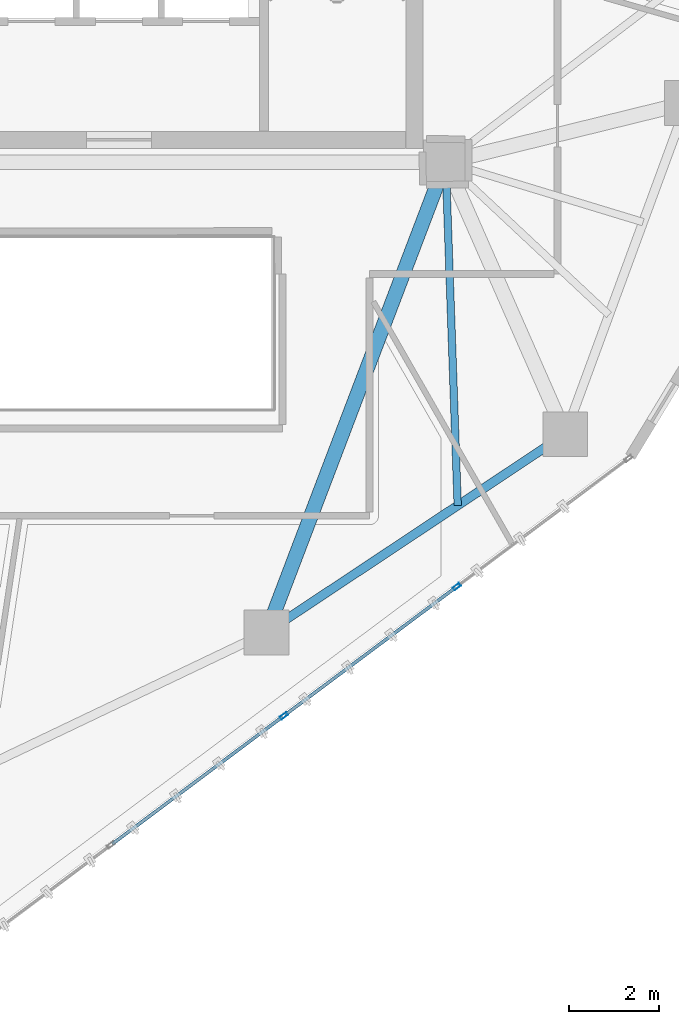
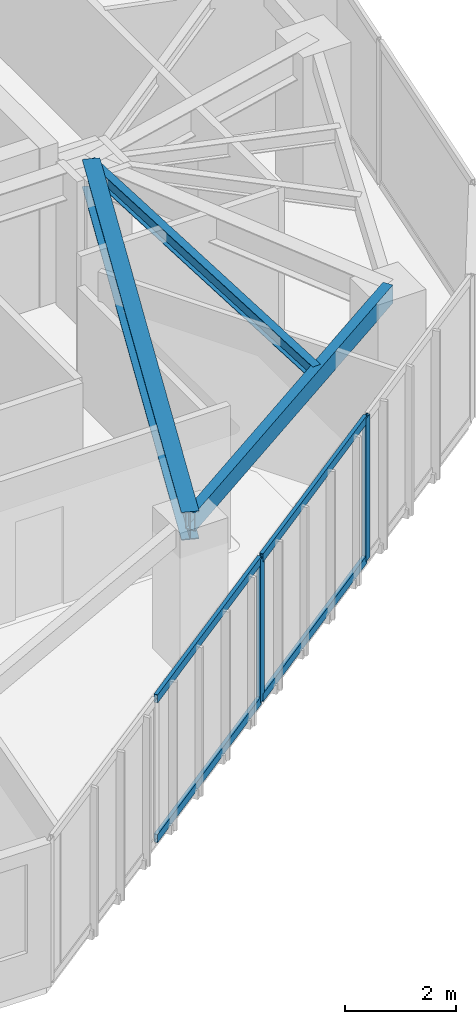
# One storey, part 5 of 20: 6 members, 3 beams, 1 element without a shape of its own.
"""IFC4 building model written with IfcOpenShell, lengths in metres."""

import ifcopenshell
import ifcopenshell.guid

model = None  # the IFC model being written
_history = None  # IfcOwnerHistory: only IFC2X3 demands one
_inside = {}  # id of a spatial element -> (the spatial element, [elements in it])
_under = {}  # id of a project, library or spatial element -> (it, [spatial elements below it])
_declared = {}  # id of a project -> (the project, [libraries it declares])
_typed = {}  # id of a type object -> (the type object, [elements of that type])
_made_of = {}  # id of a material, layer set ... -> (it, [elements and type objects made of it])


def new_model(schema):
    """Start an empty IFC model of exactly this schema.

    Asked for "IFC4X3", IfcOpenShell would pick the latest addendum, in which some entities
    have other attributes; the version numbers below select the first issue.
    IFC2X3 requires an IfcOwnerHistory on every rooted entity: one is made here for all.
    """
    global model, _history
    if schema == "IFC4X3":
        model = ifcopenshell.file(schema_version=(4, 3, 0, 0))
    else:
        model = ifcopenshell.file(schema=schema)
    _inside.clear()
    _under.clear()
    _declared.clear()
    _typed.clear()
    _made_of.clear()
    _history = None
    if model.schema == "IFC2X3":
        org = make("IfcOrganization", Name="unknown")
        user = make(
            "IfcPersonAndOrganization",
            ThePerson=make("IfcPerson", FamilyName="unknown"),
            TheOrganization=org,
        )
        app = make(
            "IfcApplication",
            ApplicationDeveloper=org,
            Version="unknown",
            ApplicationFullName="unknown",
            ApplicationIdentifier="unknown",
        )
        _history = make(
            "IfcOwnerHistory",
            OwningUser=user,
            OwningApplication=app,
            ChangeAction="ADDED",
            CreationDate=0,
        )
    return model


def make(cls, **values):
    """One entity of the class cls with the attributes given. An attribute that is None is left unset."""
    return model.create_entity(
        cls, **{name: value for name, value in values.items() if value is not None}
    )


def rooted(cls, **values):
    """An entity with a GlobalId (a new one), such as an element, a storey or a relation."""
    return make(cls, GlobalId=ifcopenshell.guid.new(), OwnerHistory=_history, **values)


def si_unit(unit_type, name, prefix=None):
    """IfcSIUnit, for example si_unit("LENGTHUNIT", "METRE", prefix="MILLI")."""
    return make("IfcSIUnit", UnitType=unit_type, Prefix=prefix, Name=name)


def assignment(units):
    """IfcUnitAssignment: the units of a project."""
    return None if units is None else make("IfcUnitAssignment", Units=units)


def point(xyz):
    """IfcCartesianPoint."""
    return None if xyz is None else make("IfcCartesianPoint", Coordinates=xyz)


def direction(xyz):
    """IfcDirection."""
    return None if xyz is None else make("IfcDirection", DirectionRatios=xyz)


def frame(location, z_axis=None, x_axis=None):
    """IfcAxis2Placement3D, a coordinate frame: its origin and axes. An axis left out is left unset."""
    return make(
        "IfcAxis2Placement3D",
        Location=point(location),
        Axis=direction(z_axis),
        RefDirection=direction(x_axis),
    )


def frame_2d(location, x_axis=None):
    """IfcAxis2Placement2D, a coordinate frame in the plane: its origin and x axis."""
    return make(
        "IfcAxis2Placement2D", Location=point(location), RefDirection=direction(x_axis)
    )


def origin():
    """The frame at (0, 0, 0) with its axes left unset."""
    return frame((0.0, 0.0, 0.0))


def origin_2d():
    """The frame at (0, 0) in the plane with its x axis left unset."""
    return frame_2d((0.0, 0.0))


def place(relative_to, where):
    """IfcLocalPlacement: puts the frame where relative to a parent placement (None: the world)."""
    return make(
        "IfcLocalPlacement", PlacementRelTo=relative_to, RelativePlacement=where
    )


def context(
    kind, dimensions, precision=None, world=None, true_north=None, identifier=None
):
    """IfcGeometricRepresentationContext, for example the 3D "Model" context."""
    return make(
        "IfcGeometricRepresentationContext",
        ContextIdentifier=identifier,
        ContextType=kind,
        CoordinateSpaceDimension=dimensions,
        Precision=precision,
        WorldCoordinateSystem=world,
        TrueNorth=true_north,
    )


def subcontext(parent, identifier, kind, view, scale=None):
    """IfcGeometricRepresentationSubContext, for example "Body" below "Model"."""
    return make(
        "IfcGeometricRepresentationSubContext",
        ContextIdentifier=identifier,
        ContextType=kind,
        ParentContext=parent,
        TargetScale=scale,
        TargetView=view,
    )


def project(units=None, contexts=None):
    """IfcProject with its units and contexts."""
    return rooted(
        "IfcProject",
        Name="project",
        RepresentationContexts=contexts,
        UnitsInContext=assignment(units),
    )


def spatial(cls, under=None, at=None, **own):
    """A site, building, storey or space (cls), placed at a placement, below another one or the project."""
    s = rooted(cls, ObjectPlacement=at, **own)
    if under is not None:
        _under.setdefault(under.id(), (under, []))[1].append(s)
    return s


def profile(cls, at=None, kind="AREA", **sizes):
    """A parametric profile (cls). Its sizes go by their IFC names, for example OverallWidth=200.0."""
    return make(cls, ProfileType=kind, Position=at, **sizes)


def hollow_rectangle(**sizes):
    """IfcRectangleHollowProfileDef."""
    return profile("IfcRectangleHollowProfileDef", **sizes)


def i_section(**sizes):
    """IfcIShapeProfileDef."""
    return profile("IfcIShapeProfileDef", **sizes)


def extrude(swept, where, along, depth):
    """IfcExtrudedAreaSolid: the profile swept, set in the frame where, extruded along a direction by depth."""
    return make(
        "IfcExtrudedAreaSolid",
        SweptArea=swept,
        Position=where,
        ExtrudedDirection=direction(along),
        Depth=depth,
    )


def shape(context_of_items, identifier, shape_type, items):
    """IfcShapeRepresentation: the items that make up one representation, for example the "Body"."""
    return make(
        "IfcShapeRepresentation",
        ContextOfItems=context_of_items,
        RepresentationIdentifier=identifier,
        RepresentationType=shape_type,
        Items=items,
    )


def source(mapping_origin, context_of_items, identifier, shape_type, items):
    """IfcRepresentationMap: a shape defined once, which mapped items show again and again."""
    return make(
        "IfcRepresentationMap",
        MappingOrigin=mapping_origin,
        MappedRepresentation=shape(context_of_items, identifier, shape_type, items),
    )


def transform(
    local_origin,
    x_axis=None,
    y_axis=None,
    z_axis=None,
    scale=None,
    scale2=None,
    scale3=None,
    uniform=True,
):
    """IfcCartesianTransformationOperator3D, or its non-uniform kind. x_axis, y_axis, z_axis: its Axis1, 2, 3."""
    if uniform:
        return make(
            "IfcCartesianTransformationOperator3D",
            Axis1=direction(x_axis),
            Axis2=direction(y_axis),
            LocalOrigin=point(local_origin),
            Scale=scale,
            Axis3=direction(z_axis),
        )
    return make(
        "IfcCartesianTransformationOperator3DnonUniform",
        Axis1=direction(x_axis),
        Axis2=direction(y_axis),
        LocalOrigin=point(local_origin),
        Scale=scale,
        Axis3=direction(z_axis),
        Scale2=scale2,
        Scale3=scale3,
    )


def mapped(mapping_source, mapping_target):
    """IfcMappedItem: shows the shape of a source again, moved by a transform."""
    return make(
        "IfcMappedItem", MappingSource=mapping_source, MappingTarget=mapping_target
    )


def material(Name=None, Category=None):
    """IfcMaterial."""
    return make("IfcMaterial", Name=Name, Category=Category)


def layer(
    of_material, thickness, ventilated=None, Name=None, Category=None, Priority=None
):
    """IfcMaterialLayer: one layer of a wall or slab, of a material (None: an air gap)."""
    return make(
        "IfcMaterialLayer",
        Material=of_material,
        LayerThickness=thickness,
        IsVentilated=ventilated,
        Name=Name,
        Category=Category,
        Priority=Priority,
    )


def layer_set(layers, Name=None):
    """IfcMaterialLayerSet."""
    return make("IfcMaterialLayerSet", MaterialLayers=layers, LayerSetName=Name)


def material_profile(
    of_material, cross_section, Name=None, Category=None, Priority=None
):
    """IfcMaterialProfile: a cross section and its material."""
    return make(
        "IfcMaterialProfile",
        Name=Name,
        Material=of_material,
        Profile=cross_section,
        Priority=Priority,
        Category=Category,
    )


def profile_set(profiles, Name=None, composite=None):
    """IfcMaterialProfileSet."""
    return make(
        "IfcMaterialProfileSet",
        Name=Name,
        MaterialProfiles=profiles,
        CompositeProfile=composite,
    )


def made_of(thing, what):
    """Note that an element or type object is made of a material, layer set ...; save() writes the relation."""
    if what is not None:
        _made_of.setdefault(what.id(), (what, []))[1].append(thing)
    return thing


def type_object(cls, material=None, **own):
    """A type object (cls), such as IfcWallType, which elements share."""
    return made_of(rooted(cls, **own), material)


def type_shapes(of_type, sources):
    """Give a type object the sources (RepresentationMaps) that its elements show as mapped items."""
    of_type.RepresentationMaps = sources


def element(
    cls,
    number,
    at=None,
    inside=None,
    cuts=None,
    type_object=None,
    material=None,
    context=None,
    identifier="Body",
    shape_type=None,
    held_by="IfcProductDefinitionShape",
    body=None,
    shapes=None,
    **own,
):
    """One element of the class cls, such as IfcWall. Its Tag is "e" and its number.

    at: its placement. inside: the storey or other place that contains it. cuts: it is an
    opening in that element (IfcRelVoidsElement). A single representation is given by context,
    identifier, shape_type and body (its items); several are given by shapes. held_by: the class
    of the entity that holds the representations. save() writes the other relations.
    """
    e = rooted(cls, Tag="e%d" % number, ObjectPlacement=at, **own)
    if body is not None:
        shapes = [shape(context, identifier, shape_type, body)]
    if shapes is not None:
        e.Representation = make(held_by, Representations=shapes)
    if inside is not None:
        _inside.setdefault(inside.id(), (inside, []))[1].append(e)
    if cuts is not None:
        rooted(
            "IfcRelVoidsElement", RelatingBuildingElement=cuts, RelatedOpeningElement=e
        )
    if type_object is not None:
        _typed.setdefault(type_object.id(), (type_object, []))[1].append(e)
    return made_of(e, material)


def aggregate(whole, parts):
    """IfcRelAggregates: a whole, such as a stair, and the parts it consists of."""
    return rooted("IfcRelAggregates", RelatingObject=whole, RelatedObjects=parts)


def save(model, path):
    """Write the relations noted so far, then the file.

    IfcRelAggregates (storeys below a building ...), IfcRelContainedInSpatialStructure (elements
    in a storey), IfcRelDefinesByType, IfcRelAssociatesMaterial and IfcRelDeclares: one each for
    every whole, place, type object, material and project.
    """
    for whole, parts in _under.values():
        aggregate(whole, parts)
    for where, things in _inside.values():
        rooted(
            "IfcRelContainedInSpatialStructure",
            RelatedElements=things,
            RelatingStructure=where,
        )
    for kind, things in _typed.values():
        rooted("IfcRelDefinesByType", RelatedObjects=things, RelatingType=kind)
    for what, things in _made_of.values():
        rooted("IfcRelAssociatesMaterial", RelatedObjects=things, RelatingMaterial=what)
    for by, libraries in _declared.values():
        rooted("IfcRelDeclares", RelatingContext=by, RelatedDefinitions=libraries)
    model.write(path)


model = new_model("IFC4")

# Units and contexts
model_context = context("Model", 3, precision=1e-05, world=origin(), true_north=direction((0.0, 1.0)))
body_context = subcontext(model_context, "Body", "Model", "MODEL_VIEW")
ifc_project = project(units=[si_unit("LENGTHUNIT", "METRE"), si_unit("AREAUNIT", "SQUARE_METRE"), si_unit("VOLUMEUNIT", "CUBIC_METRE"), si_unit("PLANEANGLEUNIT", "RADIAN"), si_unit("MASSUNIT", "GRAM", prefix="KILO")], contexts=[model_context])

# Site, building, storey
site_placement = place(None, origin())
site = spatial("IfcSite", under=ifc_project, at=site_placement, CompositionType="ELEMENT")
building_placement = place(site_placement, origin())
building = spatial("IfcBuilding", under=site, at=building_placement, Name="Talar Marvaseh", CompositionType="ELEMENT")
storey_placement = place(building_placement, frame((0.0, 0.0, 198.5)))
storey = spatial("IfcBuildingStorey", under=building, at=storey_placement, Name="L52", CompositionType="ELEMENT", Elevation=198.5)

# Beams
ifc_material_1 = material(Name="Steel S355", Category="steel")
ifc_material_profile_1 = material_profile(ifc_material_1, hollow_rectangle(XDim=0.199951171875, YDim=0.39990234375, WallThickness=0.013916015625, at=origin_2d()), Name="RHS400x200x14")
ifc_profile_set_1 = profile_set([ifc_material_profile_1], Name="Steel S355")
beam_type_1 = type_object("IfcBeamType", Name="Zone 3 Perimeter Spandrel Beam RHS400x200x14", PredefinedType="SPANDREL", material=ifc_profile_set_1)
beam_1_placement = place(storey_placement, frame((35.970947265625, 19.423095703125, 2.949951171875), z_axis=(-0.833127464163, -0.553081032452, 0.0), x_axis=(0.553081032452, -0.833127464163, 0.0)))
element("IfcBeam", 1, at=beam_1_placement, inside=storey, type_object=beam_type_1, Name="L52 Zone 3 Perimeter Spandrel Beam RHS400x200x14", PredefinedType="SPANDREL", context=body_context, shape_type="SweptSolid", body=[
    extrude(hollow_rectangle(XDim=0.199951171875, YDim=0.39990234375, WallThickness=0.013916015625, at=origin_2d()), origin(), (0.0, 0.0, 1.0), 8.00830078125),
])
ifc_material_profile_2 = material_profile(ifc_material_1, i_section(OverallWidth=0.324951171875, OverallDepth=0.615966796875, WebThickness=0.013916015625, FlangeThickness=0.021484375, at=origin_2d()), Name="W610x174")
ifc_profile_set_2 = profile_set([ifc_material_profile_2], Name="Steel S355")
beam_type_2 = type_object("IfcBeamType", Name="Zone 3 Radial Floor Girder W610x174", PredefinedType="BEAM", material=ifc_profile_set_2)
beam_2_placement = place(storey_placement, frame((29.299072265625, 14.993896484375, 2.842041015625), z_axis=(0.355890569952, 0.934527635878, 0.0), x_axis=(-0.934527635878, 0.355890569952, 0.0)))
element("IfcBeam", 2, at=beam_2_placement, inside=storey, type_object=beam_type_2, Name="L52 Zone 3 Radial Floor Girder W610x174", PredefinedType="BEAM", context=body_context, shape_type="SweptSolid", body=[
    extrude(i_section(OverallWidth=0.324951171875, OverallDepth=0.615966796875, WebThickness=0.013916015625, FlangeThickness=0.021484375, at=origin_2d()), origin(), (0.0, 0.0, 1.0), 11.2421875),
])
ifc_material_profile_3 = material_profile(ifc_material_1, i_section(OverallWidth=0.166015625, OverallDepth=0.31298828125, WebThickness=0.006591796875, FlangeThickness=0.01123046875, at=origin_2d()), Name="W310x45")
ifc_profile_set_3 = profile_set([ifc_material_profile_3], Name="Steel S355")
beam_type_3 = type_object("IfcBeamType", Name="Zone 3 Secondary Floor Joist W310x45", PredefinedType="JOIST", material=ifc_profile_set_3)
beam_3_placement = place(storey_placement, frame((33.569091796875, 17.82861328125, 2.993408203125), z_axis=(-0.035049421089, 0.999385580285, 0.0), x_axis=(-0.999385580285, -0.035049421089, 0.0)))
element("IfcBeam", 3, at=beam_3_placement, inside=storey, type_object=beam_type_3, Name="L52 Zone 3 Secondary Floor Joist W310x45", PredefinedType="JOIST", context=body_context, shape_type="SweptSolid", body=[
    extrude(i_section(OverallWidth=0.166015625, OverallDepth=0.31298828125, WebThickness=0.006591796875, FlangeThickness=0.01123046875, at=origin_2d()), origin(), (0.0, 0.0, 1.0), 7.676025390625),
])

# Curtain wall, members
ifc_material_2 = material(Name="Architectural Aluminium", Category="aluminium")
ifc_layer = layer(ifc_material_2, 0.18994140625)
ifc_layer_set = layer_set([ifc_layer], Name="Architectural Aluminium")
curtain_wall_type = type_object("IfcCurtainWallType", Name="Unitised Solar Atelier Curtain Wall Z3", PredefinedType="NOTDEFINED", material=ifc_layer_set)
curtain_wall_placement = place(storey_placement, origin())
curtain_wall = element("IfcCurtainWall", 4, at=curtain_wall_placement, inside=storey, type_object=curtain_wall_type, Name="L52 Unitised Solar Atelier Curtain Wall Z3", PredefinedType="NOTDEFINED")
ifc_material_profile_4 = material_profile(ifc_material_2, hollow_rectangle(XDim=0.074951171875, YDim=0.179931640625, WallThickness=0.0048828125, at=origin_2d()), Name="RHS180x75x5")
ifc_profile_set_4 = profile_set([ifc_material_profile_4], Name="Architectural Aluminium")
member_type_1 = type_object("IfcMemberType", Name="Unitised Curtain Wall Transom RHS180x75x5", PredefinedType="USERDEFINED", material=ifc_profile_set_4)
shared_shape_1 = source(origin(), body_context, "Body", "SweptSolid", [
    extrude(hollow_rectangle(XDim=0.074951171875, YDim=0.179931640625, WallThickness=0.0048828125, at=origin_2d()), origin(), (0.0, 0.0, 1.0), 4.747314453125),
])
type_shapes(member_type_1, [shared_shape_1])
member_1_placement = place(storey_placement, frame((33.518310546875, 15.994384765625, 0.03759765625), z_axis=(-0.801146410412, -0.598468402745, 0.0), x_axis=(0.598468402745, -0.801146410412, 0.0)))
member_1 = element("IfcMember", 5, at=member_1_placement, type_object=member_type_1, Name="CW-Z3 transom 2.1", ObjectType="TRANSOM", PredefinedType="USERDEFINED", context=body_context, shape_type="MappedRepresentation", body=[
    mapped(shared_shape_1, transform((0.0, 0.0, 0.0), x_axis=(1.0, 0.0, 0.0), y_axis=(0.0, 1.0, 0.0), z_axis=(0.0, 0.0, 1.0), scale=1.0)),
])
member_2_placement = place(storey_placement, frame((33.518310546875, 15.994384765625, 3.112548828125), z_axis=(-0.801146410412, -0.598468402745, 0.0), x_axis=(0.598468402745, -0.801146410412, 0.0)))
member_2 = element("IfcMember", 6, at=member_2_placement, type_object=member_type_1, Name="CW-Z3 transom 2.2", ObjectType="TRANSOM", PredefinedType="USERDEFINED", context=body_context, shape_type="MappedRepresentation", body=[
    mapped(shared_shape_1, transform((0.0, 0.0, 0.0), x_axis=(1.0, 0.0, 0.0), y_axis=(0.0, 1.0, 0.0), z_axis=(0.0, 0.0, 1.0), scale=1.0)),
])
member_3_placement = place(storey_placement, frame((29.655029296875, 13.108642578125, 0.03759765625), z_axis=(-0.801146410412, -0.598468402745, 0.0), x_axis=(0.598468402745, -0.801146410412, 0.0)))
member_3 = element("IfcMember", 7, at=member_3_placement, type_object=member_type_1, Name="CW-Z3 transom 3.1", ObjectType="TRANSOM", PredefinedType="USERDEFINED", context=body_context, shape_type="MappedRepresentation", body=[
    mapped(shared_shape_1, transform((0.0, 0.0, 0.0), x_axis=(1.0, 0.0, 0.0), y_axis=(0.0, 1.0, 0.0), z_axis=(0.0, 0.0, 1.0), scale=1.0)),
])
member_4_placement = place(storey_placement, frame((29.655029296875, 13.108642578125, 3.112548828125), z_axis=(-0.801146410412, -0.598468402745, 0.0), x_axis=(0.598468402745, -0.801146410412, 0.0)))
member_4 = element("IfcMember", 8, at=member_4_placement, type_object=member_type_1, Name="CW-Z3 transom 3.2", ObjectType="TRANSOM", PredefinedType="USERDEFINED", context=body_context, shape_type="MappedRepresentation", body=[
    mapped(shared_shape_1, transform((0.0, 0.0, 0.0), x_axis=(1.0, 0.0, 0.0), y_axis=(0.0, 1.0, 0.0), z_axis=(0.0, 0.0, 1.0), scale=1.0)),
])
ifc_material_profile_5 = material_profile(ifc_material_2, hollow_rectangle(XDim=0.074951171875, YDim=0.179931640625, WallThickness=0.0048828125, at=origin_2d()), Name="RHS180x75x5")
ifc_profile_set_5 = profile_set([ifc_material_profile_5], Name="Architectural Aluminium")
member_type_2 = type_object("IfcMemberType", Name="Unitised Curtain Wall Standard Mullion RHS180x75x5", PredefinedType="MULLION", material=ifc_profile_set_5)
shared_shape_2 = source(origin(), body_context, "Body", "SweptSolid", [
    extrude(hollow_rectangle(XDim=0.074951171875, YDim=0.179931640625, WallThickness=0.0048828125, at=origin_2d()), origin(), (0.0, 0.0, 1.0), 3.14990234375),
])
type_shapes(member_type_2, [shared_shape_2])
member_5_placement = place(storey_placement, frame((33.54833984375, 16.016845703125, 0.0), z_axis=(0.0, 0.0, 1.0), x_axis=(0.598447667514, -0.801161899523, 0.0)))
member_5 = element("IfcMember", 9, at=member_5_placement, type_object=member_type_2, Name="CW-Z3 mullion 2", PredefinedType="MULLION", context=body_context, shape_type="MappedRepresentation", body=[
    mapped(shared_shape_2, transform((0.0, 0.0, 0.0), x_axis=(1.0, 0.0, 0.0), y_axis=(0.0, 1.0, 0.0), z_axis=(0.0, 0.0, 1.0), scale=1.0)),
])
member_6_placement = place(storey_placement, frame((29.68505859375, 13.131103515625, 0.0), z_axis=(0.0, 0.0, 1.0), x_axis=(0.598447667514, -0.801161899523, 0.0)))
member_6 = element("IfcMember", 10, at=member_6_placement, type_object=member_type_2, Name="CW-Z3 mullion 3", PredefinedType="MULLION", context=body_context, shape_type="MappedRepresentation", body=[
    mapped(shared_shape_2, transform((0.0, 0.0, 0.0), x_axis=(1.0, 0.0, 0.0), y_axis=(0.0, 1.0, 0.0), z_axis=(0.0, 0.0, 1.0), scale=1.0)),
])
aggregate(curtain_wall, [member_5, member_6, member_1, member_2, member_3, member_4])

save(model, "model.ifc")
